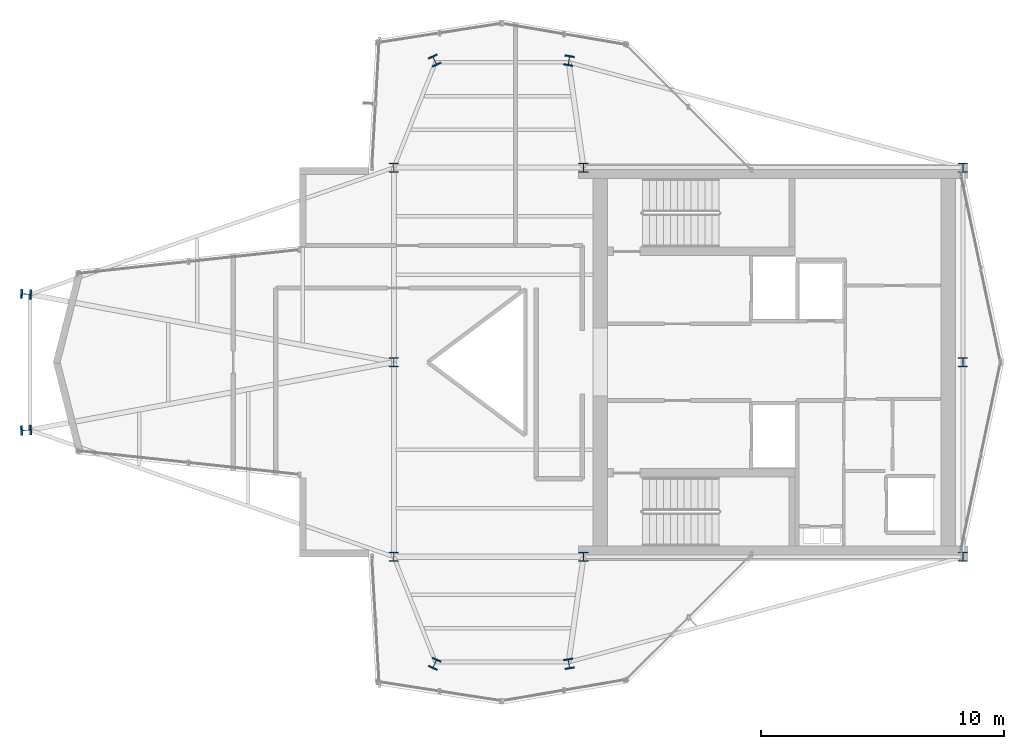
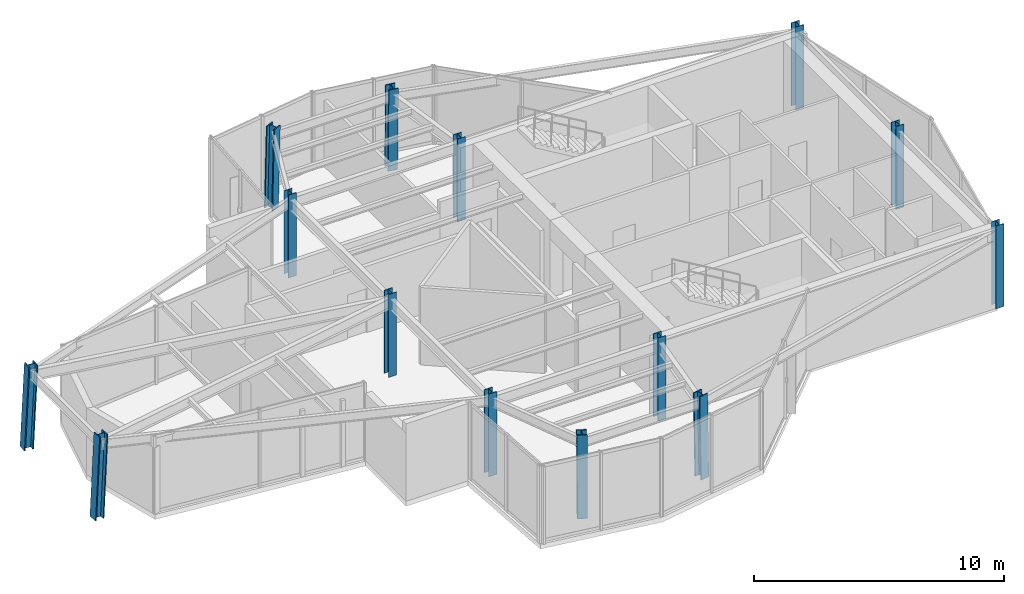
# One storey, part 1 of 13: 14 columns.
"""IFC4 building model written with IfcOpenShell, lengths in metres."""

from ifc_helpers import new_model, si_unit, direction, frame, origin, origin_2d, place, context, subcontext, project, spatial, i_section, extrude, material, material_profile, profile_set, type_object, element, save


model = new_model("IFC4")

# Units and contexts
model_context = context("Model", 3, precision=1e-05, world=origin(), true_north=direction((0.0, 1.0)))
body_context = subcontext(model_context, "Body", "Model", "MODEL_VIEW")
ifc_project = project(units=[si_unit("LENGTHUNIT", "METRE"), si_unit("AREAUNIT", "SQUARE_METRE"), si_unit("VOLUMEUNIT", "CUBIC_METRE"), si_unit("PLANEANGLEUNIT", "RADIAN"), si_unit("MASSUNIT", "GRAM", prefix="KILO")], contexts=[model_context])

# Site, building, storey
site_placement = place(None, origin())
site = spatial("IfcSite", under=ifc_project, at=site_placement, CompositionType="ELEMENT")
building_placement = place(site_placement, origin())
building = spatial("IfcBuilding", under=site, at=building_placement, Name="Veymaron Broadcast Tower", CompositionType="ELEMENT")
storey_placement = place(building_placement, frame((0.0, 0.0, 311.39990234375)))
storey = spatial("IfcBuildingStorey", under=building, at=storey_placement, Name="L73", CompositionType="ELEMENT", Elevation=311.39990234375)

# Columns
ifc_material_1 = material(Name="Structural steel ASTM A992 Gr 50", Category="steel")
ifc_material_profile_1 = material_profile(ifc_material_1, i_section(OverallWidth=0.373046875, OverallDepth=0.367919921875, WebThickness=0.014892578125, FlangeThickness=0.02392578125, at=origin_2d()), Name="W360X179")
ifc_profile_set_1 = profile_set([ifc_material_profile_1], Name="Structural steel ASTM A992 Gr 50")
column_type_1 = type_object("IfcColumnType", Name="COL-HC4", PredefinedType="COLUMN", material=ifc_profile_set_1)
for number, where, z_axis, x_axis, name in (
    (1, (31.199951171875, 16.0, 0.0), (0.0, 0.0, 1.0), (1.0, 0.0, 0.0), "L73 structural hub and core column"),
    (2, (31.199951171875, 24.0, 0.0), (0.0, 0.0, 1.0), (1.0, 0.0, 0.0), "L73 structural hub and core column"),
    (3, (31.199951171875, 32.0, 0.0), (0.0, 0.0, 1.0), (1.0, 0.0, 0.0), "L73 structural hub and core column"),
    (4, (39.0, 16.0, 0.0), (0.0, 0.0, 1.0), (1.0, 0.0, 0.0), "L73 structural hub and core column"),
    (5, (39.0, 32.0, 0.0), (0.0, 0.0, 1.0), (1.0, 0.0, 0.0), "L73 structural hub and core column"),
    (6, (54.60009765625, 16.0, 0.0), (0.0, 0.0, 1.0), (1.0, 0.0, 0.0), "L73 structural hub and core column"),
    (7, (54.60009765625, 24.0, 0.0), (0.0, 0.0, 1.0), (1.0, 0.0, 0.0), "L73 structural hub and core column"),
    (8, (54.60009765625, 32.0, 0.0), (0.0, 0.0, 1.0), (1.0, 0.0, 0.0), "L73 structural hub and core column"),
):
    element("IfcColumn", number, at=place(storey_placement, frame(where, z_axis=z_axis, x_axis=x_axis)), inside=storey, type_object=column_type_1, Name=name, PredefinedType="COLUMN", context=body_context, shape_type="SweptSolid", body=[
        extrude(i_section(OverallWidth=0.373046875, OverallDepth=0.367919921875, WebThickness=0.014892578125, FlangeThickness=0.02392578125, at=origin_2d()), origin(), (0.0, 0.0, 1.0), 4.044189453125),
    ])
ifc_material_2 = material(Name="Structural steel ASTM A913 Gr 65", Category="steel")
ifc_material_profile_2 = material_profile(ifc_material_2, i_section(OverallWidth=0.406005859375, OverallDepth=0.416015625, WebThickness=0.02978515625, FlangeThickness=0.048095703125, at=origin_2d()), Name="W360X382")
ifc_profile_set_2 = profile_set([ifc_material_profile_2], Name="Structural steel ASTM A913 Gr 65")
column_type_2 = type_object("IfcColumnType", Name="COL-MC4", PredefinedType="COLUMN", material=ifc_profile_set_2)
for number, where, z_axis, x_axis, name in (
    (9, (16.052490234375, 21.197998046875, 0.01611328125), (0.048006032007, 0.003459347439, 0.998841055327), (-0.071874311932, 0.997413697161, 0.0), "L73 Tapered Wing Mega Column"),
    (10, (16.052490234375, 26.802001953125, 0.01611328125), (0.048006032007, -0.003459347439, 0.998841055327), (0.071874311932, 0.997413697161, 0.0), "L73 Tapered Wing Mega Column"),
):
    element("IfcColumn", number, at=place(storey_placement, frame(where, z_axis=z_axis, x_axis=x_axis)), inside=storey, type_object=column_type_2, Name=name, PredefinedType="COLUMN", context=body_context, shape_type="SweptSolid", body=[
        extrude(i_section(OverallWidth=0.406005859375, OverallDepth=0.416015625, WebThickness=0.02978515625, FlangeThickness=0.048095703125, at=origin_2d()), origin(), (0.0, 0.0, 1.0), 4.022705078125),
    ])
for number, where, z_axis, x_axis, name in (
    (11, (32.87451171875, 36.412109375, 0.01611328125), (0.009719121534, -0.020956855808, 0.999733138828), (0.907188234411, 0.420724978277, 0.0), "L73 Tapered Wing Mega Column"),
    (12, (38.402099609375, 36.412109375, 0.01611328125), (-0.003523326101, -0.020957715601, 0.999774154662), (0.986161178363, -0.165789415493, 0.0), "L73 Tapered Wing Mega Column"),
    (13, (32.87451171875, 11.587890625, 0.01611328125), (0.009719121534, 0.020956855808, 0.999733138828), (-0.907188234411, 0.420724978277, 0.0), "L73 Tapered Wing Mega Column"),
    (14, (38.402099609375, 11.587890625, 0.01611328125), (-0.003523326101, 0.020957715601, 0.999774154662), (-0.986161178363, -0.165789415493, 0.0), "L73 Tapered Wing Mega Column"),
):
    element("IfcColumn", number, at=place(storey_placement, frame(where, z_axis=z_axis, x_axis=x_axis)), inside=storey, type_object=column_type_2, Name=name, PredefinedType="COLUMN", context=body_context, shape_type="SweptSolid", body=[
        extrude(i_section(OverallWidth=0.406005859375, OverallDepth=0.416015625, WebThickness=0.02978515625, FlangeThickness=0.048095703125, at=origin_2d()), origin(), (0.0, 0.0, 1.0), 4.01904296875),
    ])

save(model, "model.ifc")
